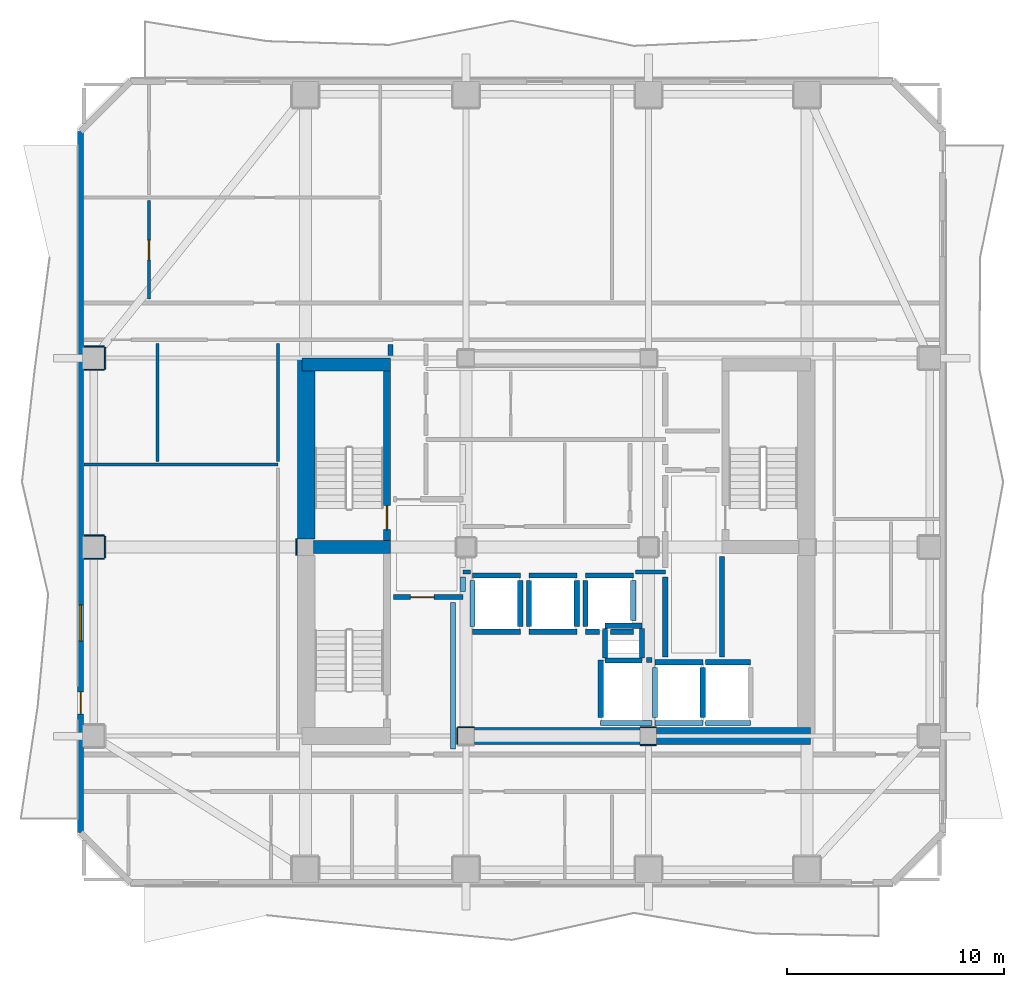
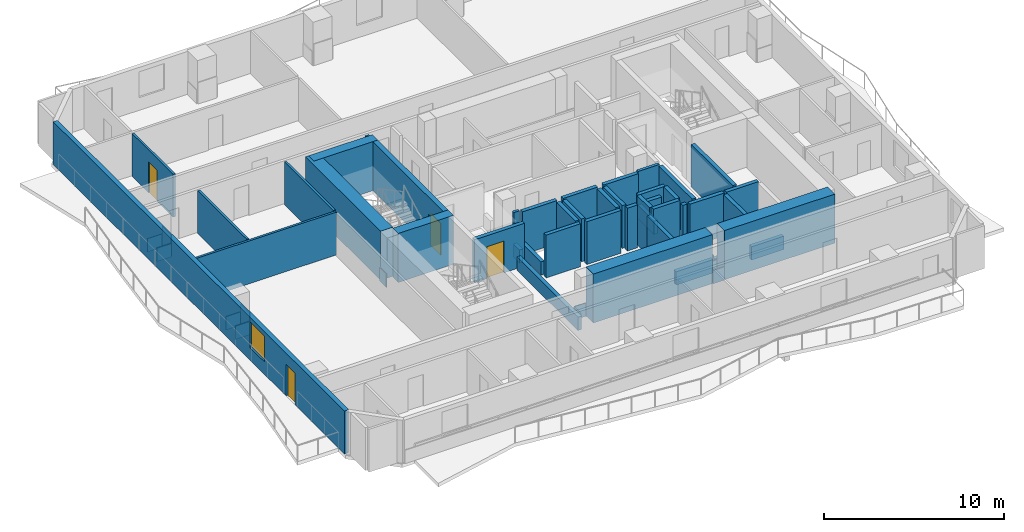
# One storey, part 3 of 10: 56 walls, 4 doors, 1 window, 5 openings.
"""IFC4 building model written with IfcOpenShell, lengths in metres."""

import ifcopenshell
import ifcopenshell.guid

model = None  # the IFC model being written
_history = None  # IfcOwnerHistory: only IFC2X3 demands one
_inside = {}  # id of a spatial element -> (the spatial element, [elements in it])
_under = {}  # id of a project, library or spatial element -> (it, [spatial elements below it])
_declared = {}  # id of a project -> (the project, [libraries it declares])
_typed = {}  # id of a type object -> (the type object, [elements of that type])
_made_of = {}  # id of a material, layer set ... -> (it, [elements and type objects made of it])


def new_model(schema):
    """Start an empty IFC model of exactly this schema.

    Asked for "IFC4X3", IfcOpenShell would pick the latest addendum, in which some entities
    have other attributes; the version numbers below select the first issue.
    IFC2X3 requires an IfcOwnerHistory on every rooted entity: one is made here for all.
    """
    global model, _history
    if schema == "IFC4X3":
        model = ifcopenshell.file(schema_version=(4, 3, 0, 0))
    else:
        model = ifcopenshell.file(schema=schema)
    _inside.clear()
    _under.clear()
    _declared.clear()
    _typed.clear()
    _made_of.clear()
    _history = None
    if model.schema == "IFC2X3":
        org = make("IfcOrganization", Name="unknown")
        user = make(
            "IfcPersonAndOrganization",
            ThePerson=make("IfcPerson", FamilyName="unknown"),
            TheOrganization=org,
        )
        app = make(
            "IfcApplication",
            ApplicationDeveloper=org,
            Version="unknown",
            ApplicationFullName="unknown",
            ApplicationIdentifier="unknown",
        )
        _history = make(
            "IfcOwnerHistory",
            OwningUser=user,
            OwningApplication=app,
            ChangeAction="ADDED",
            CreationDate=0,
        )
    return model


def make(cls, **values):
    """One entity of the class cls with the attributes given. An attribute that is None is left unset."""
    return model.create_entity(
        cls, **{name: value for name, value in values.items() if value is not None}
    )


def rooted(cls, **values):
    """An entity with a GlobalId (a new one), such as an element, a storey or a relation."""
    return make(cls, GlobalId=ifcopenshell.guid.new(), OwnerHistory=_history, **values)


def si_unit(unit_type, name, prefix=None):
    """IfcSIUnit, for example si_unit("LENGTHUNIT", "METRE", prefix="MILLI")."""
    return make("IfcSIUnit", UnitType=unit_type, Prefix=prefix, Name=name)


def assignment(units):
    """IfcUnitAssignment: the units of a project."""
    return None if units is None else make("IfcUnitAssignment", Units=units)


def point(xyz):
    """IfcCartesianPoint."""
    return None if xyz is None else make("IfcCartesianPoint", Coordinates=xyz)


def direction(xyz):
    """IfcDirection."""
    return None if xyz is None else make("IfcDirection", DirectionRatios=xyz)


def frame(location, z_axis=None, x_axis=None):
    """IfcAxis2Placement3D, a coordinate frame: its origin and axes. An axis left out is left unset."""
    return make(
        "IfcAxis2Placement3D",
        Location=point(location),
        Axis=direction(z_axis),
        RefDirection=direction(x_axis),
    )


def frame_2d(location, x_axis=None):
    """IfcAxis2Placement2D, a coordinate frame in the plane: its origin and x axis."""
    return make(
        "IfcAxis2Placement2D", Location=point(location), RefDirection=direction(x_axis)
    )


def origin():
    """The frame at (0, 0, 0) with its axes left unset."""
    return frame((0.0, 0.0, 0.0))


def place(relative_to, where):
    """IfcLocalPlacement: puts the frame where relative to a parent placement (None: the world)."""
    return make(
        "IfcLocalPlacement", PlacementRelTo=relative_to, RelativePlacement=where
    )


def context(
    kind, dimensions, precision=None, world=None, true_north=None, identifier=None
):
    """IfcGeometricRepresentationContext, for example the 3D "Model" context."""
    return make(
        "IfcGeometricRepresentationContext",
        ContextIdentifier=identifier,
        ContextType=kind,
        CoordinateSpaceDimension=dimensions,
        Precision=precision,
        WorldCoordinateSystem=world,
        TrueNorth=true_north,
    )


def subcontext(parent, identifier, kind, view, scale=None):
    """IfcGeometricRepresentationSubContext, for example "Body" below "Model"."""
    return make(
        "IfcGeometricRepresentationSubContext",
        ContextIdentifier=identifier,
        ContextType=kind,
        ParentContext=parent,
        TargetScale=scale,
        TargetView=view,
    )


def project(units=None, contexts=None):
    """IfcProject with its units and contexts."""
    return rooted(
        "IfcProject",
        Name="project",
        RepresentationContexts=contexts,
        UnitsInContext=assignment(units),
    )


def spatial(cls, under=None, at=None, **own):
    """A site, building, storey or space (cls), placed at a placement, below another one or the project."""
    s = rooted(cls, ObjectPlacement=at, **own)
    if under is not None:
        _under.setdefault(under.id(), (under, []))[1].append(s)
    return s


def profile(cls, at=None, kind="AREA", **sizes):
    """A parametric profile (cls). Its sizes go by their IFC names, for example OverallWidth=200.0."""
    return make(cls, ProfileType=kind, Position=at, **sizes)


def rectangle(**sizes):
    """IfcRectangleProfileDef."""
    return profile("IfcRectangleProfileDef", **sizes)


def extrude(swept, where, along, depth):
    """IfcExtrudedAreaSolid: the profile swept, set in the frame where, extruded along a direction by depth."""
    return make(
        "IfcExtrudedAreaSolid",
        SweptArea=swept,
        Position=where,
        ExtrudedDirection=direction(along),
        Depth=depth,
    )


def shape(context_of_items, identifier, shape_type, items):
    """IfcShapeRepresentation: the items that make up one representation, for example the "Body"."""
    return make(
        "IfcShapeRepresentation",
        ContextOfItems=context_of_items,
        RepresentationIdentifier=identifier,
        RepresentationType=shape_type,
        Items=items,
    )


def material(Name=None, Category=None):
    """IfcMaterial."""
    return make("IfcMaterial", Name=Name, Category=Category)


def layer(
    of_material, thickness, ventilated=None, Name=None, Category=None, Priority=None
):
    """IfcMaterialLayer: one layer of a wall or slab, of a material (None: an air gap)."""
    return make(
        "IfcMaterialLayer",
        Material=of_material,
        LayerThickness=thickness,
        IsVentilated=ventilated,
        Name=Name,
        Category=Category,
        Priority=Priority,
    )


def layer_set(layers, Name=None):
    """IfcMaterialLayerSet."""
    return make("IfcMaterialLayerSet", MaterialLayers=layers, LayerSetName=Name)


def made_of(thing, what):
    """Note that an element or type object is made of a material, layer set ...; save() writes the relation."""
    if what is not None:
        _made_of.setdefault(what.id(), (what, []))[1].append(thing)
    return thing


def type_object(cls, material=None, **own):
    """A type object (cls), such as IfcWallType, which elements share."""
    return made_of(rooted(cls, **own), material)


def element(
    cls,
    number,
    at=None,
    inside=None,
    cuts=None,
    type_object=None,
    material=None,
    context=None,
    identifier="Body",
    shape_type=None,
    held_by="IfcProductDefinitionShape",
    body=None,
    shapes=None,
    **own,
):
    """One element of the class cls, such as IfcWall. Its Tag is "e" and its number.

    at: its placement. inside: the storey or other place that contains it. cuts: it is an
    opening in that element (IfcRelVoidsElement). A single representation is given by context,
    identifier, shape_type and body (its items); several are given by shapes. held_by: the class
    of the entity that holds the representations. save() writes the other relations.
    """
    e = rooted(cls, Tag="e%d" % number, ObjectPlacement=at, **own)
    if body is not None:
        shapes = [shape(context, identifier, shape_type, body)]
    if shapes is not None:
        e.Representation = make(held_by, Representations=shapes)
    if inside is not None:
        _inside.setdefault(inside.id(), (inside, []))[1].append(e)
    if cuts is not None:
        rooted(
            "IfcRelVoidsElement", RelatingBuildingElement=cuts, RelatedOpeningElement=e
        )
    if type_object is not None:
        _typed.setdefault(type_object.id(), (type_object, []))[1].append(e)
    return made_of(e, material)


def fill(opening, filler):
    """IfcRelFillsElement: the door or window that sits in an opening."""
    return rooted(
        "IfcRelFillsElement",
        RelatingOpeningElement=opening,
        RelatedBuildingElement=filler,
    )


def aggregate(whole, parts):
    """IfcRelAggregates: a whole, such as a stair, and the parts it consists of."""
    return rooted("IfcRelAggregates", RelatingObject=whole, RelatedObjects=parts)


def save(model, path):
    """Write the relations noted so far, then the file.

    IfcRelAggregates (storeys below a building ...), IfcRelContainedInSpatialStructure (elements
    in a storey), IfcRelDefinesByType, IfcRelAssociatesMaterial and IfcRelDeclares: one each for
    every whole, place, type object, material and project.
    """
    for whole, parts in _under.values():
        aggregate(whole, parts)
    for where, things in _inside.values():
        rooted(
            "IfcRelContainedInSpatialStructure",
            RelatedElements=things,
            RelatingStructure=where,
        )
    for kind, things in _typed.values():
        rooted("IfcRelDefinesByType", RelatedObjects=things, RelatingType=kind)
    for what, things in _made_of.values():
        rooted("IfcRelAssociatesMaterial", RelatedObjects=things, RelatingMaterial=what)
    for by, libraries in _declared.values():
        rooted("IfcRelDeclares", RelatingContext=by, RelatedDefinitions=libraries)
    model.write(path)


model = new_model("IFC4")

# Units and contexts
model_context = context("Model", 3, precision=1e-05, world=origin(), true_north=direction((0.0, 1.0)))
body_context = subcontext(model_context, "Body", "Model", "MODEL_VIEW")
ifc_project = project(units=[si_unit("LENGTHUNIT", "METRE"), si_unit("AREAUNIT", "SQUARE_METRE"), si_unit("VOLUMEUNIT", "CUBIC_METRE"), si_unit("PLANEANGLEUNIT", "RADIAN"), si_unit("MASSUNIT", "GRAM", prefix="KILO")], contexts=[model_context])

# Site, building, storey
site_placement = place(None, origin())
site = spatial("IfcSite", under=ifc_project, at=site_placement, CompositionType="ELEMENT")
building_placement = place(site_placement, origin())
building = spatial("IfcBuilding", under=site, at=building_placement, Name="Solanera Arch Residences", CompositionType="ELEMENT")
storey_placement = place(building_placement, frame((0.0, 0.0, 186.840087890625)))
storey = spatial("IfcBuildingStorey", under=building, at=storey_placement, Name="L54", CompositionType="ELEMENT", Elevation=186.840087890625)

# Walls
ifc_material_1 = material(Name="Fire-Rated Gypsum Stud Partition", Category="gypsum")
ifc_layer_1 = layer(ifc_material_1, 0.06005859375)
ifc_layer_set_1 = layer_set([ifc_layer_1], Name="Fire-Rated Gypsum Stud Partition")
wall_type_1 = type_object("IfcWallType", Name="Column Acoustic Furring Wall 60", PredefinedType="PARTITIONING", material=ifc_layer_set_1)
wall_1_placement = place(storey_placement, frame((20.425048828125, 22.406982421875, 0.0), z_axis=(0.0, 0.0, 1.0), x_axis=(1.0, 0.0, 0.0)))
element("IfcWall", 1, at=wall_1_placement, inside=storey, type_object=wall_type_1, Name="L54 Column Furring 1N", PredefinedType="PARTITIONING", context=body_context, shape_type="SweptSolid", body=[
    extrude(rectangle(XDim=0.741943359375, YDim=0.06005859375, at=frame_2d((0.37109375, 0.0))), origin(), (0.0, 0.0, 1.0), 0.905029296875),
])
wall_2_placement = place(storey_placement, frame((20.39306640625, 21.625, 0.0), z_axis=(0.0, 0.0, 1.0), x_axis=(0.0, 1.0, 0.0)))
element("IfcWall", 2, at=wall_2_placement, inside=storey, type_object=wall_type_1, Name="L54 Column Furring 1W", PredefinedType="PARTITIONING", context=body_context, shape_type="SweptSolid", body=[
    extrude(rectangle(XDim=0.75, YDim=0.06005859375, at=frame_2d((0.375, 0.0))), origin(), (0.0, 0.0, 1.0), 0.905029296875),
])
for number, where, z_axis, x_axis, name in (
    (3, (28.8330078125, 21.593017578125, 0.0), (0.0, 0.0, 1.0), (1.0, 0.0, 0.0), "L54 Column Furring 2S"),
    (4, (28.8330078125, 22.406982421875, 0.0), (0.0, 0.0, 1.0), (1.0, 0.0, 0.0), "L54 Column Furring 2N"),
):
    element("IfcWall", number, at=place(storey_placement, frame(where, z_axis=z_axis, x_axis=x_axis)), inside=storey, type_object=wall_type_1, Name=name, PredefinedType="PARTITIONING", context=body_context, shape_type="SweptSolid", body=[
        extrude(rectangle(XDim=0.73388671875, YDim=0.06005859375, at=frame_2d((0.366943359375, 0.0))), origin(), (0.0, 0.0, 1.0), 0.905029296875),
    ])
wall_3_placement = place(storey_placement, frame((12.992919921875, 30.324951171875, 0.0), z_axis=(0.0, 0.0, 1.0), x_axis=(0.0, 1.0, 0.0)))
element("IfcWall", 5, at=wall_3_placement, inside=storey, type_object=wall_type_1, Name="L54 Column Furring 5W", PredefinedType="PARTITIONING", context=body_context, shape_type="SweptSolid", body=[
    extrude(rectangle(XDim=0.75, YDim=0.06005859375, at=frame_2d((0.375, 0.0))), origin(), (0.0, 0.0, 1.0), 0.905029296875),
])
for number, where, z_axis, x_axis, name in (
    (6, (3.2099609375, 30.16796875, 0.0), (0.0, 0.0, 1.0), (1.0, 0.0, 0.0), "L54 Column Furring 19S"),
    (7, (3.2099609375, 31.23193359375, 0.0), (0.0, 0.0, 1.0), (1.0, 0.0, 0.0), "L54 Column Furring 19N"),
):
    element("IfcWall", number, at=place(storey_placement, frame(where, z_axis=z_axis, x_axis=x_axis)), inside=storey, type_object=wall_type_1, Name=name, PredefinedType="PARTITIONING", context=body_context, shape_type="SweptSolid", body=[
        extrude(rectangle(XDim=0.93994140625, YDim=0.06005859375, at=frame_2d((0.469970703125, 0.0))), origin(), (0.0, 0.0, 1.0), 0.905029296875),
    ])
wall_4_placement = place(storey_placement, frame((4.181884765625, 30.199951171875, 0.0), z_axis=(0.0, 0.0, 1.0), x_axis=(0.0, 1.0, 0.0)))
element("IfcWall", 8, at=wall_4_placement, inside=storey, type_object=wall_type_1, Name="L54 Column Furring 19E", PredefinedType="PARTITIONING", context=body_context, shape_type="SweptSolid", body=[
    extrude(rectangle(XDim=1.0, YDim=0.06005859375, at=frame_2d((0.5, 0.0))), origin(), (0.0, 0.0, 1.0), 1.449951171875),
])
for number, where, z_axis, x_axis, name in (
    (9, (3.2099609375, 38.867919921875, 0.0), (0.0, 0.0, 1.0), (1.0, 0.0, 0.0), "L54 Column Furring 21S"),
    (10, (3.2099609375, 39.931884765625, 0.0), (0.0, 0.0, 1.0), (1.0, 0.0, 0.0), "L54 Column Furring 21N"),
):
    element("IfcWall", number, at=place(storey_placement, frame(where, z_axis=z_axis, x_axis=x_axis)), inside=storey, type_object=wall_type_1, Name=name, PredefinedType="PARTITIONING", context=body_context, shape_type="SweptSolid", body=[
        extrude(rectangle(XDim=0.93994140625, YDim=0.06005859375, at=frame_2d((0.469970703125, 0.0))), origin(), (0.0, 0.0, 1.0), 0.905029296875),
    ])
wall_5_placement = place(storey_placement, frame((4.181884765625, 38.89990234375, 0.0), z_axis=(0.0, 0.0, 1.0), x_axis=(0.0, 1.0, 0.0)))
element("IfcWall", 11, at=wall_5_placement, inside=storey, type_object=wall_type_1, Name="L54 Column Furring 21E", PredefinedType="PARTITIONING", context=body_context, shape_type="SweptSolid", body=[
    extrude(rectangle(XDim=1.0, YDim=0.06005859375, at=frame_2d((0.5, 0.0))), origin(), (0.0, 0.0, 1.0), 1.449951171875),
])

# Wall, opening, door
ifc_material_2 = material(Name="Concrete C40/50 (f'c = 45 MPa)", Category="concrete")
ifc_layer_2 = layer(ifc_material_2, 0.320068359375)
ifc_layer_set_2 = layer_set([ifc_layer_2], Name="Concrete C40/50 (f'c = 45 MPa)")
wall_type_2 = type_object("IfcWallType", Name="Core Shear Wall CW-320", PredefinedType="SHEAR", material=ifc_layer_set_2)
wall_6_placement = place(storey_placement, frame((17.159912109375, 31.0, 0.0), z_axis=(0.0, 0.0, 1.0), x_axis=(0.0, 1.0, 0.0)))
wall_6 = element("IfcWall", 12, at=wall_6_placement, inside=storey, type_object=wall_type_2, Name="L54 Stair ST-T1 East Shear Wall", PredefinedType="SHEAR", context=body_context, shape_type="SweptSolid", body=[
    extrude(rectangle(XDim=7.800048828125, YDim=0.320068359375, at=frame_2d((3.89990234375, 0.0))), origin(), (0.0, 0.0, 1.0), 3.31982421875),
])
opening_1_placement = place(wall_6_placement, frame((0.510009765625, 0.0, 0.0)))
opening_1 = element("IfcOpeningElement", 13, at=opening_1_placement, cuts=wall_6, Name="Opening DF-01", PredefinedType="OPENING", context=body_context, shape_type="SweptSolid", body=[
    extrude(rectangle(XDim=1.10009765625, YDim=2.14990234375, at=frame_2d((0.550048828125, 1.074951171875))), frame((0.0, 0.169921875, 0.0), z_axis=(0.0, -1.0, 0.0), x_axis=(1.0, 0.0, 0.0)), (0.0, 0.0, 1.0), 0.3401),
])
ifc_material_3 = material(Name="Fire-Rated Architectural Hardwood", Category="wood")
door_type_1 = type_object("IfcDoorType", Name="Stair Exit Fire Door DF-01", OperationType="NOTDEFINED", PredefinedType="DOOR", material=ifc_material_3)
door_1_placement = place(opening_1_placement, origin())
door_1 = element("IfcDoor", 14, at=door_1_placement, inside=storey, type_object=door_type_1, Name="DR-L54-STAIR-ST-T1", OperationType="SINGLE_SWING_LEFT", OverallHeight=2.14990234375, OverallWidth=1.10009765625, PredefinedType="DOOR", context=body_context, shape_type="SweptSolid", body=[
    extrude(rectangle(XDim=1.10009765625, YDim=2.14990234375, at=frame_2d((0.550048828125, 1.074951171875))), frame((0.0, 0.02490234375, 0.0), z_axis=(0.0, -1.0, 0.0), x_axis=(1.0, 0.0, 0.0)), (0.0, 0.0, 1.0), 0.050048828125),
])
fill(opening_1, door_1)

# Walls
ifc_material_4 = material(Name="Concrete C40/50 (f'c = 45 MPa)", Category="concrete")
ifc_layer_3 = layer(ifc_material_4, 0.60009765625)
ifc_layer_set_3 = layer_set([ifc_layer_3], Name="Concrete C40/50 (f'c = 45 MPa)")
wall_type_3 = type_object("IfcWallType", Name="Core Shear Wall CW-600", PredefinedType="SHEAR", material=ifc_layer_set_3)
wall_7_placement = place(storey_placement, frame((13.239990234375, 39.10009765625, 0.0), z_axis=(0.0, 0.0, 1.0), x_axis=(1.0, 0.0, 0.0)))
element("IfcWall", 15, at=wall_7_placement, inside=storey, type_object=wall_type_3, Name="L54 North-West Core Shear Wall", PredefinedType="SHEAR", context=body_context, shape_type="SweptSolid", body=[
    extrude(rectangle(XDim=4.080078125, YDim=0.60009765625, at=frame_2d((2.0400390625, 0.0))), origin(), (0.0, 0.0, 1.0), 3.31982421875),
])
wall_8_placement = place(storey_placement, frame((13.780029296875, 30.699951171875, 0.0), z_axis=(0.0, 0.0, 1.0), x_axis=(1.0, 0.0, 0.0)))
element("IfcWall", 16, at=wall_8_placement, inside=storey, type_object=wall_type_3, Name="L54 West Stair Divider Shear Wall", PredefinedType="SHEAR", context=body_context, shape_type="SweptSolid", body=[
    extrude(rectangle(XDim=3.5400390625, YDim=0.60009765625, at=frame_2d((1.77001953125, 0.0))), origin(), (0.0, 0.0, 1.0), 3.31982421875),
])
ifc_material_5 = material(Name="Concrete C40/50 (f'c = 45 MPa)", Category="concrete")
ifc_layer_4 = layer(ifc_material_5, 0.800048828125)
ifc_layer_set_4 = layer_set([ifc_layer_4], Name="Concrete C40/50 (f'c = 45 MPa)")
wall_type_4 = type_object("IfcWallType", Name="Core Shear Wall CW-800", PredefinedType="SHEAR", material=ifc_layer_set_4)
wall_9_placement = place(storey_placement, frame((13.43994140625, 31.080078125, 0.0), z_axis=(0.0, 0.0, 1.0), x_axis=(0.0, 1.0, 0.0)))
element("IfcWall", 17, at=wall_9_placement, inside=storey, type_object=wall_type_4, Name="L54 West Core North Shear Wall", PredefinedType="SHEAR", context=body_context, shape_type="SweptSolid", body=[
    extrude(rectangle(XDim=8.31982421875, YDim=0.800048828125, at=frame_2d((4.159912109375, 0.0))), origin(), (0.0, 0.0, 1.0), 3.31982421875),
])
wall_10_placement = place(storey_placement, frame((29.580078125, 22.0, 0.0), z_axis=(0.0, 0.0, 1.0), x_axis=(1.0, 0.0, 0.0)))
element("IfcWall", 18, at=wall_10_placement, inside=storey, type_object=wall_type_4, Name="L54 South-East Core Shear Wall", PredefinedType="SHEAR", context=body_context, shape_type="SweptSolid", body=[
    extrude(rectangle(XDim=7.079833984375, YDim=0.800048828125, at=frame_2d((3.5400390625, 0.0))), origin(), (0.0, 0.0, 1.0), 3.31982421875),
])
wall_11_placement = place(storey_placement, frame((21.179931640625, 22.0, 0.0), z_axis=(0.0, 0.0, 1.0), x_axis=(1.0, 0.0, 0.0)))
element("IfcWall", 19, at=wall_11_placement, inside=storey, type_object=wall_type_4, Name="L54 Central South Core Shear Wall", PredefinedType="SHEAR", context=body_context, shape_type="SweptSolid", body=[
    extrude(rectangle(XDim=7.64013671875, YDim=0.800048828125, at=frame_2d((3.820068359375, 0.0))), origin(), (0.0, 0.0, 1.0), 3.31982421875),
])
ifc_material_6 = material(Name="Autoclaved Aerated Concrete Blockwork", Category="masonry")
ifc_layer_5 = layer(ifc_material_6, 0.179931640625)
ifc_layer_set_5 = layer_set([ifc_layer_5], Name="Autoclaved Aerated Concrete Blockwork")
wall_type_5 = type_object("IfcWallType", Name="Corridor Fire Partition 180", PredefinedType="PARTITIONING", material=ifc_layer_set_5)
wall_12_placement = place(storey_placement, frame((20.64990234375, 29.550048828125, 0.0), z_axis=(0.0, 0.0, 1.0), x_axis=(1.0, 0.0, 0.0)))
element("IfcWall", 20, at=wall_12_placement, inside=storey, type_object=wall_type_5, Name="L54 Interior Partition H7 1", PredefinedType="PARTITIONING", context=body_context, shape_type="SweptSolid", body=[
    extrude(rectangle(XDim=0.357177734375, YDim=0.179931640625, at=frame_2d((0.1787109375, 0.0))), origin(), (0.0, 0.0, 1.0), 2.89990234375),
])
wall_13_placement = place(storey_placement, frame((28.593017578125, 29.550048828125, 0.0), z_axis=(0.0, 0.0, 1.0), x_axis=(1.0, 0.0, 0.0)))
element("IfcWall", 21, at=wall_13_placement, inside=storey, type_object=wall_type_5, Name="L54 Interior Partition H7 2", PredefinedType="PARTITIONING", context=body_context, shape_type="SweptSolid", body=[
    extrude(rectangle(XDim=1.382080078125, YDim=0.179931640625, at=frame_2d((0.69091796875, 0.0))), origin(), (0.0, 0.0, 1.0), 2.89990234375),
])

# Wall, openings, door, window
ifc_material_7 = material(Name="Precast Concrete C35/45", Category="concrete")
ifc_layer_6 = layer(ifc_material_7, 0.280029296875)
ifc_layer_set_6 = layer_set([ifc_layer_6], Name="Precast Concrete C35/45")
wall_type_6 = type_object("IfcWallType", Name="Exterior Wall Precast Masonry-Frame 280", PredefinedType="STANDARD", material=ifc_layer_set_6)
wall_14_placement = place(storey_placement, frame((3.054931640625, 17.554931640625, 0.0), z_axis=(0.0, 0.0, 1.0), x_axis=(0.0, 1.0, 0.0)))
wall_14 = element("IfcWall", 22, at=wall_14_placement, inside=storey, type_object=wall_type_6, Name="L54 Tower Exterior Precast Masonry-Frame Wall W", PredefinedType="STANDARD", context=body_context, shape_type="SweptSolid", body=[
    extrude(rectangle(XDim=32.2900390625, YDim=0.280029296875, at=frame_2d((16.14501953125, 0.0))), origin(), (0.0, 0.0, 1.0), 2.89990234375),
])
opening_2_placement = place(wall_14_placement, frame((5.467041015625, 0.0, 0.0)))
opening_2 = element("IfcOpeningElement", 23, at=opening_2_placement, cuts=wall_14, Name="Opening DB-01", PredefinedType="OPENING", context=body_context, shape_type="SweptSolid", body=[
    extrude(rectangle(XDim=1.0, YDim=2.14990234375, at=frame_2d((0.5, 1.074951171875))), frame((0.0, 0.14990234375, 0.0), z_axis=(0.0, -1.0, 0.0), x_axis=(1.0, 0.0, 0.0)), (0.0, 0.0, 1.0), 0.3),
])
opening_3_placement = place(wall_14_placement, frame((8.8310546875, 0.0, 0.85009765625)))
opening_3 = element("IfcOpeningElement", 24, at=opening_3_placement, cuts=wall_14, Name="Opening W-08", PredefinedType="OPENING", context=body_context, shape_type="SweptSolid", body=[
    extrude(rectangle(XDim=1.64990234375, YDim=1.75, at=frame_2d((0.824951171875, 0.875))), frame((0.0, 0.14990234375, 0.0), z_axis=(0.0, -1.0, 0.0), x_axis=(1.0, 0.0, 0.0)), (0.0, 0.0, 1.0), 0.3),
])
ifc_material_8 = material(Name="Anodised Aluminium Alloy 6063-T6", Category="aluminium")
door_type_2 = type_object("IfcDoorType", Name="Glazed Balcony Swing Door DB-01", OperationType="NOTDEFINED", PredefinedType="DOOR", material=ifc_material_8)
door_2_placement = place(opening_2_placement, origin())
door_2 = element("IfcDoor", 25, at=door_2_placement, inside=storey, type_object=door_type_2, Name="DR-L54-OUT-04", OperationType="SINGLE_SWING_LEFT", OverallHeight=2.14990234375, OverallWidth=1.0, PredefinedType="DOOR", context=body_context, shape_type="SweptSolid", body=[
    extrude(rectangle(XDim=1.0, YDim=2.14990234375, at=frame_2d((0.5, 1.074951171875))), frame((0.0, 0.02490234375, 0.0), z_axis=(0.0, -1.0, 0.0), x_axis=(1.0, 0.0, 0.0)), (0.0, 0.0, 1.0), 0.050048828125),
])
fill(opening_2, door_2)
ifc_material_9 = material(Name="Double Glazed Low-E Laminated Glass", Category="glass")
window_type = type_object("IfcWindowType", Name="Punched Window W-08", PartitioningType="DOUBLE_PANEL_HORIZONTAL", PredefinedType="WINDOW", material=ifc_material_9)
window_placement = place(opening_3_placement, origin())
window = element("IfcWindow", 26, at=window_placement, inside=storey, type_object=window_type, Name="L54 AMN-FIT Punched Window", OverallHeight=1.75, OverallWidth=1.64990234375, PartitioningType="SINGLE_PANEL", PredefinedType="WINDOW", context=body_context, shape_type="SweptSolid", body=[
    extrude(rectangle(XDim=1.64990234375, YDim=1.75, at=frame_2d((0.824951171875, 0.875))), frame((0.0, 0.030029296875, 0.0), z_axis=(0.0, -1.0, 0.0), x_axis=(1.0, 0.0, 0.0)), (0.0, 0.0, 1.0), 0.06005859375),
])
fill(opening_3, window)

# Walls
ifc_material_10 = material(Name="Concrete C40/50 (f'c = 45 MPa)", Category="concrete")
ifc_layer_7 = layer(ifc_material_10, 0.239990234375)
ifc_layer_set_7 = layer_set([ifc_layer_7], Name="Concrete C40/50 (f'c = 45 MPa)")
wall_type_7 = type_object("IfcWallType", Name="Ramp Bearing Shear Wall RW-240", PredefinedType="SHEAR", material=ifc_layer_set_7)
for number, where, z_axis, x_axis, name in (
    (27, (27.199951171875, 25.47998046875, 0.0), (0.0, 0.0, 1.0), (1.0, 0.0, 0.0), "L54 Core MEP Riser South Shaft Wall"),
    (28, (27.199951171875, 27.080078125, 0.0), (0.0, 0.0, 1.0), (1.0, 0.0, 0.0), "L54 Core MEP Riser North Shaft Wall"),
):
    element("IfcWall", number, at=place(storey_placement, frame(where, z_axis=z_axis, x_axis=x_axis)), inside=storey, type_object=wall_type_7, Name=name, PredefinedType="SHEAR", context=body_context, shape_type="SweptSolid", body=[
        extrude(rectangle(XDim=1.699951171875, YDim=0.239990234375, at=frame_2d((0.85009765625, 0.0))), origin(), (0.0, 0.0, 1.0), 3.31982421875),
    ])
for number, where, z_axis, x_axis, name in (
    (29, (27.199951171875, 25.60009765625, 0.0), (0.0, 0.0, 1.0), (0.0, 1.0, 0.0), "L54 Core MEP Riser West Shaft Wall"),
    (30, (28.89990234375, 25.60009765625, 0.0), (0.0, 0.0, 1.0), (0.0, 1.0, 0.0), "L54 Core MEP Riser East Shaft Wall"),
):
    element("IfcWall", number, at=place(storey_placement, frame(where, z_axis=z_axis, x_axis=x_axis)), inside=storey, type_object=wall_type_7, Name=name, PredefinedType="SHEAR", context=body_context, shape_type="SweptSolid", body=[
        extrude(rectangle(XDim=1.35986328125, YDim=0.239990234375, at=frame_2d((0.679931640625, 0.0))), origin(), (0.0, 0.0, 1.0), 3.31982421875),
    ])
ifc_material_11 = material(Name="Autoclaved Aerated Concrete Blockwork", Category="masonry")
ifc_layer_8 = layer(ifc_material_11, 0.239990234375)
ifc_layer_set_8 = layer_set([ifc_layer_8], Name="Autoclaved Aerated Concrete Blockwork")
wall_type_8 = type_object("IfcWallType", Name="Shaft Wall Fire-Rated 240", PredefinedType="PARTITIONING", material=ifc_layer_set_8)
for number, where, z_axis, x_axis, name in (
    (31, (21.10009765625, 26.800048828125, 0.0), (0.0, 0.0, 1.0), (1.0, 0.0, 0.0), "L54 Lift PL-H1 Hoistway Wall S"),
    (32, (21.10009765625, 29.39990234375, 0.0), (0.0, 0.0, 1.0), (1.0, 0.0, 0.0), "L54 Lift PL-H1 Hoistway Wall N"),
):
    element("IfcWall", number, at=place(storey_placement, frame(where, z_axis=z_axis, x_axis=x_axis)), inside=storey, type_object=wall_type_8, Name=name, PredefinedType="PARTITIONING", context=body_context, shape_type="SweptSolid", body=[
        extrude(rectangle(XDim=2.199951171875, YDim=0.239990234375, at=frame_2d((1.10009765625, 0.0))), origin(), (0.0, 0.0, 1.0), 2.89990234375),
    ])
wall_15_placement = place(storey_placement, frame((21.10009765625, 27.048095703125, 0.0), z_axis=(0.0, 0.0, 1.0), x_axis=(0.0, 1.0, 0.0)))
element("IfcWall", 33, at=wall_15_placement, inside=storey, type_object=wall_type_8, Name="L54 Lift PL-H1 Hoistway Wall W", PredefinedType="PARTITIONING", context=body_context, shape_type="SweptSolid", body=[
    extrude(rectangle(XDim=2.10400390625, YDim=0.239990234375, at=frame_2d((1.052001953125, 0.0))), origin(), (0.0, 0.0, 1.0), 0.905029296875),
])
wall_16_placement = place(storey_placement, frame((23.300048828125, 27.048095703125, 0.0), z_axis=(0.0, 0.0, 1.0), x_axis=(0.0, 1.0, 0.0)))
element("IfcWall", 34, at=wall_16_placement, inside=storey, type_object=wall_type_8, Name="L54 Lift PL-H1 Hoistway Wall E", PredefinedType="PARTITIONING", context=body_context, shape_type="SweptSolid", body=[
    extrude(rectangle(XDim=2.10400390625, YDim=0.239990234375, at=frame_2d((1.052001953125, 0.0))), origin(), (0.0, 0.0, 1.0), 2.89990234375),
])
for number, where, z_axis, x_axis, name in (
    (35, (23.699951171875, 26.800048828125, 0.0), (0.0, 0.0, 1.0), (1.0, 0.0, 0.0), "L54 Lift PL-H2 Hoistway Wall S"),
    (36, (23.699951171875, 29.39990234375, 0.0), (0.0, 0.0, 1.0), (1.0, 0.0, 0.0), "L54 Lift PL-H2 Hoistway Wall N"),
):
    element("IfcWall", number, at=place(storey_placement, frame(where, z_axis=z_axis, x_axis=x_axis)), inside=storey, type_object=wall_type_8, Name=name, PredefinedType="PARTITIONING", context=body_context, shape_type="SweptSolid", body=[
        extrude(rectangle(XDim=2.199951171875, YDim=0.239990234375, at=frame_2d((1.10009765625, 0.0))), origin(), (0.0, 0.0, 1.0), 2.89990234375),
    ])
for number, where, z_axis, x_axis, name in (
    (37, (23.699951171875, 27.048095703125, 0.0), (0.0, 0.0, 1.0), (0.0, 1.0, 0.0), "L54 Lift PL-H2 Hoistway Wall W"),
    (38, (25.89990234375, 27.048095703125, 0.0), (0.0, 0.0, 1.0), (0.0, 1.0, 0.0), "L54 Lift PL-H2 Hoistway Wall E"),
):
    element("IfcWall", number, at=place(storey_placement, frame(where, z_axis=z_axis, x_axis=x_axis)), inside=storey, type_object=wall_type_8, Name=name, PredefinedType="PARTITIONING", context=body_context, shape_type="SweptSolid", body=[
        extrude(rectangle(XDim=2.10400390625, YDim=0.239990234375, at=frame_2d((1.052001953125, 0.0))), origin(), (0.0, 0.0, 1.0), 2.89990234375),
    ])
wall_17_placement = place(storey_placement, frame((26.300048828125, 26.800048828125, 0.0), z_axis=(0.0, 0.0, 1.0), x_axis=(1.0, 0.0, 0.0)))
element("IfcWall", 39, at=wall_17_placement, inside=storey, type_object=wall_type_8, Name="L54 Lift PL-H3 Hoistway Wall S 1", PredefinedType="PARTITIONING", context=body_context, shape_type="SweptSolid", body=[
    extrude(rectangle(XDim=0.64990234375, YDim=0.239990234375, at=frame_2d((0.324951171875, 0.0))), origin(), (0.0, 0.0, 1.0), 2.89990234375),
])
wall_18_placement = place(storey_placement, frame((27.449951171875, 26.800048828125, 0.0), z_axis=(0.0, 0.0, 1.0), x_axis=(1.0, 0.0, 0.0)))
element("IfcWall", 40, at=wall_18_placement, inside=storey, type_object=wall_type_8, Name="L54 Lift PL-H3 Hoistway Wall S 2", PredefinedType="PARTITIONING", context=body_context, shape_type="SweptSolid", body=[
    extrude(rectangle(XDim=1.050048828125, YDim=0.239990234375, at=frame_2d((0.52490234375, 0.0))), origin(), (0.0, 0.0, 1.0), 2.89990234375),
])
wall_19_placement = place(storey_placement, frame((26.300048828125, 29.39990234375, 0.0), z_axis=(0.0, 0.0, 1.0), x_axis=(1.0, 0.0, 0.0)))
element("IfcWall", 41, at=wall_19_placement, inside=storey, type_object=wall_type_8, Name="L54 Lift PL-H3 Hoistway Wall N", PredefinedType="PARTITIONING", context=body_context, shape_type="SweptSolid", body=[
    extrude(rectangle(XDim=2.199951171875, YDim=0.239990234375, at=frame_2d((1.10009765625, 0.0))), origin(), (0.0, 0.0, 1.0), 2.89990234375),
])
wall_20_placement = place(storey_placement, frame((26.300048828125, 27.048095703125, 0.0), z_axis=(0.0, 0.0, 1.0), x_axis=(0.0, 1.0, 0.0)))
element("IfcWall", 42, at=wall_20_placement, inside=storey, type_object=wall_type_8, Name="L54 Lift PL-H3 Hoistway Wall W", PredefinedType="PARTITIONING", context=body_context, shape_type="SweptSolid", body=[
    extrude(rectangle(XDim=2.10400390625, YDim=0.239990234375, at=frame_2d((1.052001953125, 0.0))), origin(), (0.0, 0.0, 1.0), 2.89990234375),
])
wall_21_placement = place(storey_placement, frame((28.5, 27.330078125, 0.0), z_axis=(0.0, 0.0, 1.0), x_axis=(0.0, 1.0, 0.0)))
element("IfcWall", 43, at=wall_21_placement, inside=storey, type_object=wall_type_8, Name="L54 Lift PL-H3 Hoistway Wall E", PredefinedType="PARTITIONING", context=body_context, shape_type="SweptSolid", body=[
    extrude(rectangle(XDim=1.822021484375, YDim=0.239990234375, at=frame_2d((0.9111328125, 0.0))), origin(), (0.0, 0.0, 1.0), 0.905029296875),
])
wall_22_placement = place(storey_placement, frame((29.5, 22.60009765625, 0.0), z_axis=(0.0, 0.0, 1.0), x_axis=(1.0, 0.0, 0.0)))
element("IfcWall", 44, at=wall_22_placement, inside=storey, type_object=wall_type_8, Name="L54 Lift FFL-1 Hoistway Wall S", PredefinedType="PARTITIONING", context=body_context, shape_type="SweptSolid", body=[
    extrude(rectangle(XDim=2.199951171875, YDim=0.239990234375, at=frame_2d((1.10009765625, 0.0))), origin(), (0.0, 0.0, 1.0), 0.905029296875),
])
wall_23_placement = place(storey_placement, frame((29.5, 25.39990234375, 0.0), z_axis=(0.0, 0.0, 1.0), x_axis=(1.0, 0.0, 0.0)))
element("IfcWall", 45, at=wall_23_placement, inside=storey, type_object=wall_type_8, Name="L54 Lift FFL-1 Hoistway Wall N", PredefinedType="PARTITIONING", context=body_context, shape_type="SweptSolid", body=[
    extrude(rectangle(XDim=2.199951171875, YDim=0.239990234375, at=frame_2d((1.10009765625, 0.0))), origin(), (0.0, 0.0, 1.0), 2.89990234375),
])
wall_24_placement = place(storey_placement, frame((29.5, 22.847900390625, 0.0), z_axis=(0.0, 0.0, 1.0), x_axis=(0.0, 1.0, 0.0)))
element("IfcWall", 46, at=wall_24_placement, inside=storey, type_object=wall_type_8, Name="L54 Lift FFL-1 Hoistway Wall W", PredefinedType="PARTITIONING", context=body_context, shape_type="SweptSolid", body=[
    extrude(rectangle(XDim=2.30419921875, YDim=0.239990234375, at=frame_2d((1.152099609375, 0.0))), origin(), (0.0, 0.0, 1.0), 0.905029296875),
])
wall_25_placement = place(storey_placement, frame((31.699951171875, 22.847900390625, 0.0), z_axis=(0.0, 0.0, 1.0), x_axis=(0.0, 1.0, 0.0)))
element("IfcWall", 47, at=wall_25_placement, inside=storey, type_object=wall_type_8, Name="L54 Lift FFL-1 Hoistway Wall E", PredefinedType="PARTITIONING", context=body_context, shape_type="SweptSolid", body=[
    extrude(rectangle(XDim=2.30419921875, YDim=0.239990234375, at=frame_2d((1.152099609375, 0.0))), origin(), (0.0, 0.0, 1.0), 2.89990234375),
])
wall_26_placement = place(storey_placement, frame((31.827880859375, 22.60009765625, 0.0), z_axis=(0.0, 0.0, 1.0), x_axis=(1.0, 0.0, 0.0)))
element("IfcWall", 48, at=wall_26_placement, inside=storey, type_object=wall_type_8, Name="L54 Lift FFL-2 Hoistway Wall S", PredefinedType="PARTITIONING", context=body_context, shape_type="SweptSolid", body=[
    extrude(rectangle(XDim=2.072021484375, YDim=0.239990234375, at=frame_2d((1.0361328125, 0.0))), origin(), (0.0, 0.0, 1.0), 0.905029296875),
])
wall_27_placement = place(storey_placement, frame((31.827880859375, 25.39990234375, 0.0), z_axis=(0.0, 0.0, 1.0), x_axis=(1.0, 0.0, 0.0)))
element("IfcWall", 49, at=wall_27_placement, inside=storey, type_object=wall_type_8, Name="L54 Lift FFL-2 Hoistway Wall N", PredefinedType="PARTITIONING", context=body_context, shape_type="SweptSolid", body=[
    extrude(rectangle(XDim=2.072021484375, YDim=0.239990234375, at=frame_2d((1.0361328125, 0.0))), origin(), (0.0, 0.0, 1.0), 2.89990234375),
])
wall_28_placement = place(storey_placement, frame((27.0, 22.60009765625, 0.0), z_axis=(0.0, 0.0, 1.0), x_axis=(1.0, 0.0, 0.0)))
element("IfcWall", 50, at=wall_28_placement, inside=storey, type_object=wall_type_8, Name="L54 Lift SVL-1 Hoistway Wall S", PredefinedType="PARTITIONING", context=body_context, shape_type="SweptSolid", body=[
    extrude(rectangle(XDim=2.3720703125, YDim=0.239990234375, at=frame_2d((1.18603515625, 0.0))), origin(), (0.0, 0.0, 1.0), 0.905029296875),
])
wall_29_placement = place(storey_placement, frame((29.10302734375, 25.5, 0.0), z_axis=(0.0, 0.0, 1.0), x_axis=(1.0, 0.0, 0.0)))
element("IfcWall", 51, at=wall_29_placement, inside=storey, type_object=wall_type_8, Name="L54 Lift SVL-1 Hoistway Wall N", PredefinedType="PARTITIONING", context=body_context, shape_type="SweptSolid", body=[
    extrude(rectangle(XDim=0.26904296875, YDim=0.239990234375, at=frame_2d((0.134521484375, 0.0))), origin(), (0.0, 0.0, 1.0), 2.89990234375),
])
wall_30_placement = place(storey_placement, frame((27.0, 22.847900390625, 0.0), z_axis=(0.0, 0.0, 1.0), x_axis=(0.0, 1.0, 0.0)))
element("IfcWall", 52, at=wall_30_placement, inside=storey, type_object=wall_type_8, Name="L54 Lift SVL-1 Hoistway Wall W", PredefinedType="PARTITIONING", context=body_context, shape_type="SweptSolid", body=[
    extrude(rectangle(XDim=2.650146484375, YDim=0.239990234375, at=frame_2d((1.3251953125, 0.0))), origin(), (0.0, 0.0, 1.0), 2.89990234375),
])

# Wall, opening, door
wall_31_placement = place(storey_placement, frame((17.449951171875, 28.39990234375, 0.0), z_axis=(0.0, 0.0, 1.0), x_axis=(1.0, 0.0, 0.0)))
wall_31 = element("IfcWall", 53, at=wall_31_placement, inside=storey, type_object=wall_type_8, Name="L54 Interior Partition H3", PredefinedType="PARTITIONING", context=body_context, shape_type="SweptSolid", body=[
    extrude(rectangle(XDim=3.199951171875, YDim=0.239990234375, at=frame_2d((1.60009765625, 0.0))), origin(), (0.0, 0.0, 1.0), 2.89990234375),
])
opening_4_placement = place(wall_31_placement, frame((0.783935546875, 0.0, 0.0)))
opening_4 = element("IfcOpeningElement", 54, at=opening_4_placement, cuts=wall_31, Name="Opening DF-02", PredefinedType="OPENING", context=body_context, shape_type="SweptSolid", body=[
    extrude(rectangle(XDim=1.10009765625, YDim=2.14990234375, at=frame_2d((0.550048828125, 1.074951171875))), frame((0.0, 0.1298828125, 0.0), z_axis=(0.0, -1.0, 0.0), x_axis=(1.0, 0.0, 0.0)), (0.0, 0.0, 1.0), 0.26),
])
ifc_material_12 = material(Name="Fire-Rated Architectural Hardwood", Category="wood")
door_type_3 = type_object("IfcDoorType", Name="Firefighting Lobby Fire Door DF-02", OperationType="NOTDEFINED", PredefinedType="DOOR", material=ifc_material_12)
door_3_placement = place(opening_4_placement, origin())
door_3 = element("IfcDoor", 55, at=door_3_placement, inside=storey, type_object=door_type_3, Name="DR-L54-IN-004", OperationType="SINGLE_SWING_RIGHT", OverallHeight=2.14990234375, OverallWidth=1.10009765625, PredefinedType="DOOR", context=body_context, shape_type="SweptSolid", body=[
    extrude(rectangle(XDim=1.10009765625, YDim=2.14990234375, at=frame_2d((0.550048828125, 1.074951171875))), frame((0.0, 0.02490234375, 0.0), z_axis=(0.0, -1.0, 0.0), x_axis=(1.0, 0.0, 0.0)), (0.0, 0.0, 1.0), 0.050048828125),
])
fill(opening_4, door_3)

# Walls
wall_32_placement = place(storey_placement, frame((17.320068359375, 39.530029296875, 0.0), z_axis=(0.0, 0.0, 1.0), x_axis=(0.0, 1.0, 0.0)))
element("IfcWall", 56, at=wall_32_placement, inside=storey, type_object=wall_type_8, Name="L54 Interior Partition V1", PredefinedType="PARTITIONING", context=body_context, shape_type="SweptSolid", body=[
    extrude(rectangle(XDim=0.501953125, YDim=0.239990234375, at=frame_2d((0.2509765625, 0.0))), origin(), (0.0, 0.0, 1.0), 2.89990234375),
])
wall_33_placement = place(storey_placement, frame((20.199951171875, 21.39794921875, 0.0), z_axis=(0.0, 0.0, 1.0), x_axis=(0.0, 1.0, 0.0)))
element("IfcWall", 57, at=wall_33_placement, inside=storey, type_object=wall_type_8, Name="L54 Interior Partition V2", PredefinedType="PARTITIONING", context=body_context, shape_type="SweptSolid", body=[
    extrude(rectangle(XDim=6.754150390625, YDim=0.239990234375, at=frame_2d((3.376953125, 0.0))), origin(), (0.0, 0.0, 1.0), 0.905029296875),
])
wall_34_placement = place(storey_placement, frame((20.64990234375, 28.64794921875, 0.0), z_axis=(0.0, 0.0, 1.0), x_axis=(0.0, 1.0, 0.0)))
element("IfcWall", 58, at=wall_34_placement, inside=storey, type_object=wall_type_8, Name="L54 Interior Partition V3 1", PredefinedType="PARTITIONING", context=body_context, shape_type="SweptSolid", body=[
    extrude(rectangle(XDim=0.68408203125, YDim=0.239990234375, at=frame_2d((0.342041015625, 0.0))), origin(), (0.0, 0.0, 1.0), 0.905029296875),
])
wall_35_placement = place(storey_placement, frame((29.97509765625, 25.64794921875, 0.0), z_axis=(0.0, 0.0, 1.0), x_axis=(0.0, 1.0, 0.0)))
element("IfcWall", 59, at=wall_35_placement, inside=storey, type_object=wall_type_8, Name="L54 Interior Partition V4 1", PredefinedType="PARTITIONING", context=body_context, shape_type="SweptSolid", body=[
    extrude(rectangle(XDim=3.68408203125, YDim=0.239990234375, at=frame_2d((1.842041015625, 0.0))), origin(), (0.0, 0.0, 1.0), 2.89990234375),
])
wall_36_placement = place(storey_placement, frame((32.580078125, 25.64794921875, 0.0), z_axis=(0.0, 0.0, 1.0), x_axis=(0.0, 1.0, 0.0)))
element("IfcWall", 60, at=wall_36_placement, inside=storey, type_object=wall_type_8, Name="L54 Interior Partition V5", PredefinedType="PARTITIONING", context=body_context, shape_type="SweptSolid", body=[
    extrude(rectangle(XDim=4.6220703125, YDim=0.239990234375, at=frame_2d((2.31103515625, 0.0))), origin(), (0.0, 0.0, 1.0), 2.89990234375),
])
ifc_material_13 = material(Name="Autoclaved Aerated Concrete Blockwork", Category="masonry")
ifc_layer_9 = layer(ifc_material_13, 0.139892578125)
ifc_layer_set_9 = layer_set([ifc_layer_9], Name="Autoclaved Aerated Concrete Blockwork")
wall_type_9 = type_object("IfcWallType", Name="Wet-Room Partition 140", PredefinedType="PARTITIONING", material=ifc_layer_set_9)
wall_37_placement = place(storey_placement, frame((3.20703125, 34.5, 0.0), z_axis=(0.0, 0.0, 1.0), x_axis=(1.0, 0.0, 0.0)))
element("IfcWall", 61, at=wall_37_placement, inside=storey, type_object=wall_type_9, Name="L54 Interior Partition H16", PredefinedType="PARTITIONING", context=body_context, shape_type="SweptSolid", body=[
    extrude(rectangle(XDim=8.94287109375, YDim=0.139892578125, at=frame_2d((4.471435546875, 0.0))), origin(), (0.0, 0.0, 1.0), 2.89990234375),
])

# Wall, opening, door
wall_38_placement = place(storey_placement, frame((6.199951171875, 42.117919921875, 0.0), z_axis=(0.0, 0.0, 1.0), x_axis=(0.0, 1.0, 0.0)))
wall_38 = element("IfcWall", 62, at=wall_38_placement, inside=storey, type_object=wall_type_9, Name="L54 Interior Partition V11 1", PredefinedType="PARTITIONING", context=body_context, shape_type="SweptSolid", body=[
    extrude(rectangle(XDim=4.5341796875, YDim=0.139892578125, at=frame_2d((2.26708984375, 0.0))), origin(), (0.0, 0.0, 1.0), 2.89990234375),
])
opening_5_placement = place(wall_38_placement, frame((1.806884765625, 0.0, 0.0)))
opening_5 = element("IfcOpeningElement", 63, at=opening_5_placement, cuts=wall_38, Name="Opening DI-02", PredefinedType="OPENING", context=body_context, shape_type="SweptSolid", body=[
    extrude(rectangle(XDim=0.89990234375, YDim=2.10009765625, at=frame_2d((0.449951171875, 1.050048828125))), frame((0.0, 0.079833984375, 0.0), z_axis=(0.0, -1.0, 0.0), x_axis=(1.0, 0.0, 0.0)), (0.0, 0.0, 1.0), 0.1599),
])
ifc_material_14 = material(Name="Fire-Rated Architectural Hardwood", Category="wood")
door_type_4 = type_object("IfcDoorType", Name="Suite Room Swing Door DI-02", OperationType="NOTDEFINED", PredefinedType="DOOR", material=ifc_material_14)
door_4_placement = place(opening_5_placement, origin())
door_4 = element("IfcDoor", 64, at=door_4_placement, inside=storey, type_object=door_type_4, Name="DR-L54-IN-023", OperationType="SINGLE_SWING_LEFT", OverallHeight=2.10009765625, OverallWidth=0.89990234375, PredefinedType="DOOR", context=body_context, shape_type="SweptSolid", body=[
    extrude(rectangle(XDim=0.89990234375, YDim=2.10009765625, at=frame_2d((0.449951171875, 1.050048828125))), frame((0.0, 0.02490234375, 0.0), z_axis=(0.0, -1.0, 0.0), x_axis=(1.0, 0.0, 0.0)), (0.0, 0.0, 1.0), 0.050048828125),
])
fill(opening_5, door_4)

# Walls
for number, where, z_axis, x_axis, name in (
    (65, (6.60107421875, 34.64794921875, 0.0), (0.0, 0.0, 1.0), (0.0, 1.0, 0.0), "L54 Interior Partition V12"),
    (66, (12.14990234375, 34.64794921875, 0.0), (0.0, 0.0, 1.0), (0.0, 1.0, 0.0), "L54 Interior Partition V13 2"),
):
    element("IfcWall", number, at=place(storey_placement, frame(where, z_axis=z_axis, x_axis=x_axis)), inside=storey, type_object=wall_type_9, Name=name, PredefinedType="PARTITIONING", context=body_context, shape_type="SweptSolid", body=[
        extrude(rectangle(XDim=5.43408203125, YDim=0.139892578125, at=frame_2d((2.717041015625, 0.0))), origin(), (0.0, 0.0, 1.0), 2.89990234375),
    ])

save(model, "model.ifc")
